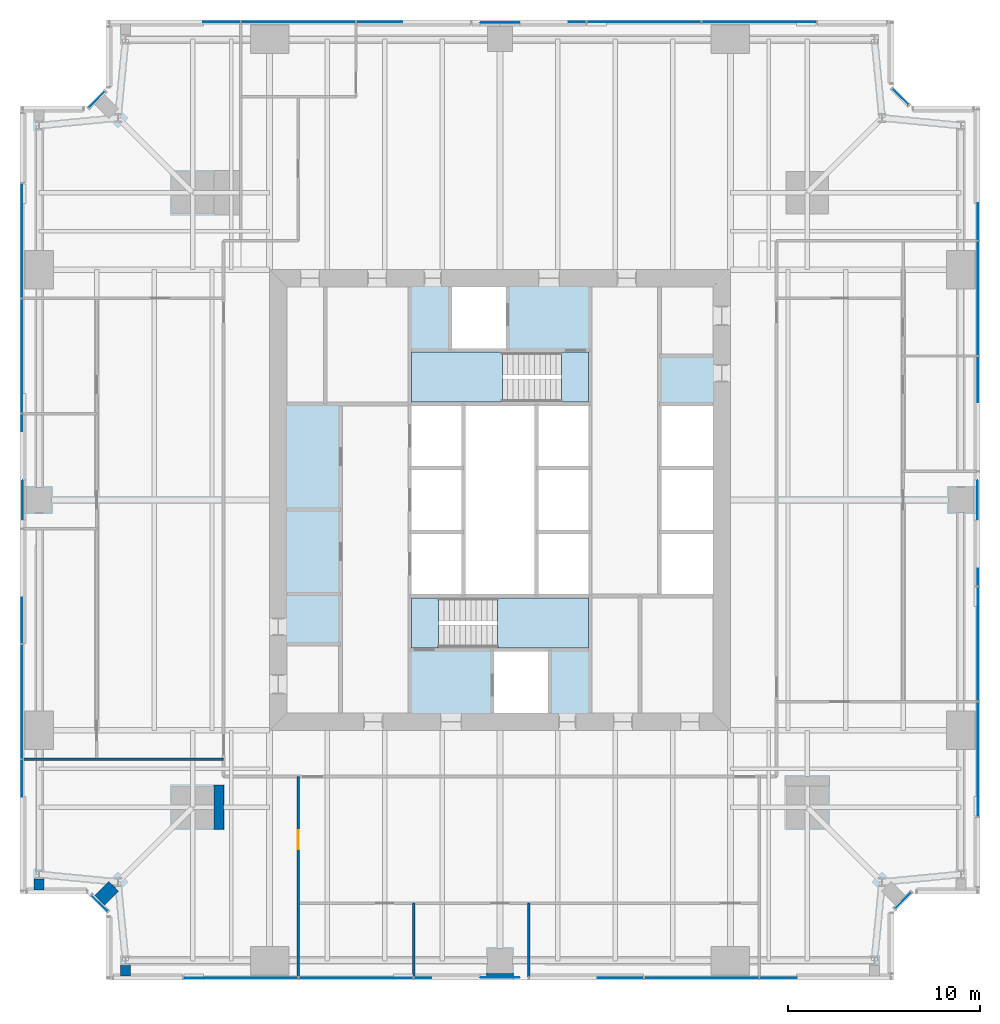
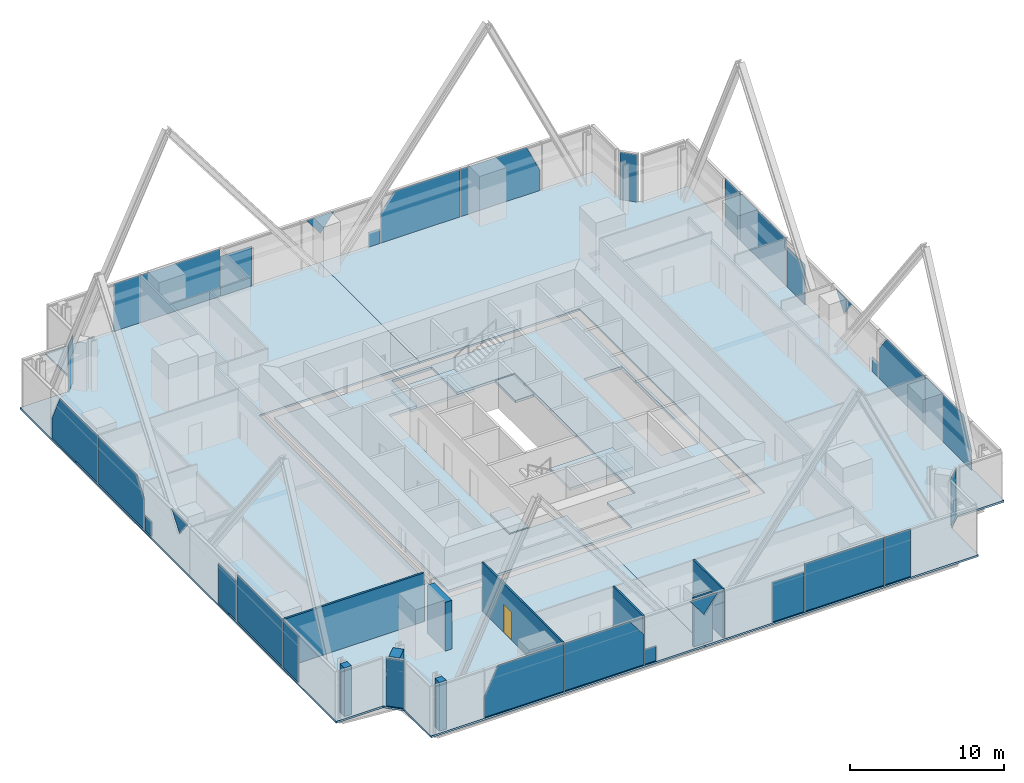
# One storey, part 8 of 13: 32 plates, 9 walls, 7 slabs, 1 door, 1 opening, 10 elements without a shape of their own.
"""IFC4 building model written with IfcOpenShell, lengths in metres."""

from ifc_helpers import new_model, si_unit, direction, frame, frame_2d, origin, origin_2d, place, context, subcontext, project, spatial, polyline, rectangle, outline, extrude, material, layer, layer_set, type_object, element, fill, aggregate, save


model = new_model("IFC4")

# Units and contexts
model_context = context("Model", 3, precision=1e-05, world=origin(), true_north=direction((0.0, 1.0)))
body_context = subcontext(model_context, "Body", "Model", "MODEL_VIEW")
ifc_project = project(units=[si_unit("LENGTHUNIT", "METRE"), si_unit("AREAUNIT", "SQUARE_METRE"), si_unit("VOLUMEUNIT", "CUBIC_METRE"), si_unit("PLANEANGLEUNIT", "RADIAN"), si_unit("MASSUNIT", "GRAM", prefix="KILO")], contexts=[model_context])

# Site, building, storey
site_placement = place(None, origin())
site = spatial("IfcSite", under=ifc_project, at=site_placement, CompositionType="ELEMENT")
building_placement = place(site_placement, origin())
building = spatial("IfcBuilding", under=site, at=building_placement, Name="Fenwick Lantern Interchange", CompositionType="ELEMENT")
storey_placement = place(building_placement, frame((0.0, 0.0, 146.39990234375)))
storey = spatial("IfcBuildingStorey", under=building, at=storey_placement, Name="L34", CompositionType="ELEMENT", Elevation=146.39990234375)

# Slabs
ifc_material_1 = material(Name="Concrete f'c 35 MPa", Category="concrete")
ifc_layer_1 = layer(ifc_material_1, 0.199951171875)
ifc_layer_set_1 = layer_set([ifc_layer_1], Name="CORE FLOOR SLAB 200")
slab_type_1 = type_object("IfcSlabType", Name="CORE FLOOR SLAB 200", PredefinedType="FLOOR", material=ifc_layer_set_1)
slab_1_placement = place(storey_placement, frame((0.0, 0.0, -0.199951171875)))
element("IfcSlab", 1, at=slab_1_placement, inside=storey, type_object=slab_type_1, Name="L34/SLAB/CORE", PredefinedType="FLOOR", context=body_context, shape_type="SweptSolid", body=[
    extrude(outline(polyline([(13.699951171875, 36.300048828125), (36.300048828125, 36.300048828125), (36.300048828125, 13.699951171875), (13.699951171875, 13.699951171875), (13.699951171875, 36.300048828125)]), holes=[polyline([(29.699951171875, 17.199951171875), (29.699951171875, 20.0), (29.699951171875, 23.333251953125), (29.699951171875, 26.666748046875), (29.699951171875, 30.0), (29.699951171875, 32.800048828125), (25.39990234375, 32.800048828125), (25.39990234375, 36.10009765625), (22.39990234375, 36.10009765625), (22.39990234375, 32.800048828125), (20.300048828125, 32.800048828125), (20.300048828125, 30.0), (20.300048828125, 26.666748046875), (20.300048828125, 23.333251953125), (20.300048828125, 20.0), (20.300048828125, 17.199951171875), (24.60009765625, 17.199951171875), (24.60009765625, 13.89990234375), (27.60009765625, 13.89990234375), (27.60009765625, 17.199951171875), (29.699951171875, 17.199951171875)]), polyline([(33.300048828125, 23.333251953125), (33.300048828125, 20.0), (36.10009765625, 20.0), (36.10009765625, 23.333251953125), (36.10009765625, 26.666748046875), (36.10009765625, 30.0), (33.300048828125, 30.0), (33.300048828125, 26.666748046875), (33.300048828125, 23.333251953125)])]), origin(), (0.0, 0.0, 1.0), 0.199951171875),
])
ifc_material_2 = material(Name="Concrete f'c 35 MPa", Category="concrete")
ifc_layer_2 = layer(ifc_material_2, 0.14990234375)
ifc_layer_set_2 = layer_set([ifc_layer_2], Name="Concrete f'c 35 MPa")
slab_type_2 = type_object("IfcSlabType", Name="FLOOR SLAB 150", PredefinedType="FLOOR", material=ifc_layer_set_2)
slab_2_placement = place(storey_placement, frame((0.0, 0.0, -0.14990234375)))
element("IfcSlab", 2, at=slab_2_placement, inside=storey, type_object=slab_type_2, Name="L34/SLAB/FW", PredefinedType="FLOOR", context=body_context, shape_type="SweptSolid", body=[
    extrude(outline(polyline([(4.5, 0.0), (4.5, 3.5), (3.5, 4.5), (0.0, 4.5), (0.0, 45.5), (3.5, 45.5), (4.5, 46.5), (4.5, 50.0), (25.0, 50.0), (25.0, 37.0), (13.0, 37.0), (13.0, 13.0), (25.0, 13.0), (25.0, 0.0), (4.5, 0.0)])), origin(), (0.0, 0.0, 1.0), 0.14990234375),
])
slab_3_placement = place(storey_placement, frame((0.0, 0.0, -0.14990234375)))
element("IfcSlab", 3, at=slab_3_placement, inside=storey, type_object=slab_type_2, Name="L34/SLAB/FE", PredefinedType="FLOOR", context=body_context, shape_type="SweptSolid", body=[
    extrude(outline(polyline([(45.5, 50.0), (45.5, 46.5), (46.5, 45.5), (50.0, 45.5), (50.0, 4.5), (46.5, 4.5), (45.5, 3.5), (45.5, 0.0), (25.0, 0.0), (25.0, 13.0), (37.0, 13.0), (37.0, 37.0), (25.0, 37.0), (25.0, 50.0), (45.5, 50.0)])), origin(), (0.0, 0.0, 1.0), 0.14990234375),
])

# Curtain wall, plates
ifc_material_3 = material(Name="Aluminium curtain wall frame", Category="aluminium")
curtain_wall_type = type_object("IfcCurtainWallType", Name="OFFICE CURTAIN WALL", PredefinedType="USERDEFINED", material=ifc_material_3)
curtain_wall_1_placement = place(storey_placement, origin())
curtain_wall_1 = element("IfcCurtainWall", 4, at=curtain_wall_1_placement, inside=storey, type_object=curtain_wall_type, Name="Office curtain wall 01", ObjectType="OFFICE CURTAIN WALL", PredefinedType="USERDEFINED")
ifc_material_4 = material(Name="Vision glass, clear low-iron double glazed", Category="glass")
ifc_layer_3 = layer(ifc_material_4, 0.031982421875)
ifc_layer_set_3 = layer_set([ifc_layer_3], Name="OFFICE CURTAIN WALL PANEL 32")
plate_type = type_object("IfcPlateType", Name="OFFICE CURTAIN WALL PANEL 32", PredefinedType="CURTAIN_PANEL", material=ifc_layer_set_3)
plate_1_placement = place(storey_placement, frame((4.60009765625, 0.10009765625, 0.0), z_axis=(0.0, 0.0, 1.0), x_axis=(1.0, 0.0, 0.0)))
plate_1 = element("IfcPlate", 5, at=plate_1_placement, type_object=plate_type, Name="L34/CW/01/P01a", PredefinedType="CURTAIN_PANEL", context=body_context, shape_type="SweptSolid", body=[
    extrude(outline(polyline([(3.9326171875, 0.0), (9.867431640625, 0.0), (9.867431640625, 3.75), (4.947265625, 3.75), (3.9326171875, 1.60107421875), (3.9326171875, 0.0)])), frame((0.0, 0.01611328125, 0.0), z_axis=(0.0, -1.0, 0.0), x_axis=(1.0, 0.0, 0.0)), (0.0, 0.0, 1.0), 0.031982421875),
])
plate_2_placement = place(storey_placement, frame((4.60009765625, 0.10009765625, 0.0), z_axis=(0.0, 0.0, 1.0), x_axis=(1.0, 0.0, 0.0)))
plate_2 = element("IfcPlate", 6, at=plate_2_placement, type_object=plate_type, Name="L34/CW/01/P02a", PredefinedType="CURTAIN_PANEL", context=body_context, shape_type="SweptSolid", body=[
    extrude(outline(polyline([(9.9326171875, 0.0), (15.867431640625, 0.0), (15.867431640625, 2.40771484375), (14.853515625, 3.75), (9.9326171875, 3.75), (9.9326171875, 0.0)])), frame((0.0, 0.01611328125, 0.0), z_axis=(0.0, -1.0, 0.0), x_axis=(1.0, 0.0, 0.0)), (0.0, 0.0, 1.0), 0.031982421875),
])
plate_3_placement = place(storey_placement, frame((4.60009765625, 0.10009765625, 0.0), z_axis=(0.0, 0.0, 1.0), x_axis=(1.0, 0.0, 0.0)))
plate_3 = element("IfcPlate", 7, at=plate_3_placement, type_object=plate_type, Name="L34/CW/01/P03a", PredefinedType="CURTAIN_PANEL", context=body_context, shape_type="SweptSolid", body=[
    extrude(outline(polyline([(15.9326171875, 0.0), (16.8076171875, 0.0), (16.8076171875, 1.163330078125), (15.9326171875, 1.163330078125), (15.9326171875, 0.0)])), frame((0.0, 0.01611328125, 0.0), z_axis=(0.0, -1.0, 0.0), x_axis=(1.0, 0.0, 0.0)), (0.0, 0.0, 1.0), 0.031982421875),
])
plate_4_placement = place(storey_placement, frame((4.60009765625, 0.10009765625, 2.38037109375), z_axis=(0.0, 0.0, 1.0), x_axis=(1.0, 0.0, 0.0)))
plate_4 = element("IfcPlate", 8, at=plate_4_placement, type_object=plate_type, Name="L34/CW/01/P03b", PredefinedType="CURTAIN_PANEL", context=body_context, shape_type="SweptSolid", body=[
    extrude(outline(polyline([(20.39990234375, 0.0), (21.434814453125, 1.36962890625), (19.365234375, 1.36962890625), (20.39990234375, 0.0)])), frame((0.0, 0.0498046875, 0.0), z_axis=(0.0, -1.0, 0.0), x_axis=(1.0, 0.0, 0.0)), (0.0, 0.0, 1.0), 0.031982421875),
])
plate_5_placement = place(storey_placement, frame((4.60009765625, 0.10009765625, 0.0), z_axis=(0.0, 0.0, 1.0), x_axis=(1.0, 0.0, 0.0)))
plate_5 = element("IfcPlate", 9, at=plate_5_placement, type_object=plate_type, Name="L34/CW/01/P04a", PredefinedType="CURTAIN_PANEL", context=body_context, shape_type="SweptSolid", body=[
    extrude(outline(polyline([(25.48876953125, 0.0), (27.867431640625, 0.0), (27.867431640625, 3.14404296875), (25.48876953125, 3.14404296875), (25.48876953125, 0.0)])), frame((0.0, 0.01611328125, 0.0), z_axis=(0.0, -1.0, 0.0), x_axis=(1.0, 0.0, 0.0)), (0.0, 0.0, 1.0), 0.031982421875),
])
plate_6_placement = place(storey_placement, frame((35.5, 0.10009765625, 0.0), z_axis=(0.0, 0.0, 1.0), x_axis=(1.0, 0.0, 0.0)))
plate_6 = element("IfcPlate", 10, at=plate_6_placement, type_object=plate_type, Name="L34/CW/01/P05", PredefinedType="CURTAIN_PANEL", context=body_context, shape_type="SweptSolid", body=[
    extrude(rectangle(XDim=5.93505859375, YDim=0.031982421875, at=origin_2d()), origin(), (0.0, 0.0, 1.0), 3.75),
])
plate_7_placement = place(storey_placement, frame((4.60009765625, 0.10009765625, 0.0), z_axis=(0.0, 0.0, 1.0), x_axis=(1.0, 0.0, 0.0)))
plate_7 = element("IfcPlate", 11, at=plate_7_placement, type_object=plate_type, Name="L34/CW/01/P06a", PredefinedType="CURTAIN_PANEL", context=body_context, shape_type="SweptSolid", body=[
    extrude(outline(polyline([(33.9326171875, 0.0), (35.8525390625, 0.0), (35.8525390625, 3.75), (33.9326171875, 3.75), (33.9326171875, 0.0)])), frame((0.0, 0.01611328125, 0.0), z_axis=(0.0, -1.0, 0.0), x_axis=(1.0, 0.0, 0.0)), (0.0, 0.0, 1.0), 0.031982421875),
])
aggregate(curtain_wall_1, [plate_1, plate_2, plate_3, plate_4, plate_5, plate_6, plate_7])

# Curtain wall, plate
curtain_wall_2_placement = place(storey_placement, origin())
curtain_wall_2 = element("IfcCurtainWall", 12, at=curtain_wall_2_placement, inside=storey, type_object=curtain_wall_type, Name="Office curtain wall 03", ObjectType="OFFICE CURTAIN WALL", PredefinedType="USERDEFINED")
plate_8_placement = place(storey_placement, frame((46.0, 4.141357421875, 0.0), z_axis=(0.0, 0.0, 1.0), x_axis=(0.707106781187, 0.707106781187, 0.0)))
plate_8 = element("IfcPlate", 13, at=plate_8_placement, type_object=plate_type, Name="L34/CW/03/P00", PredefinedType="CURTAIN_PANEL", context=body_context, shape_type="SweptSolid", body=[
    extrude(rectangle(XDim=1.1669921875, YDim=0.031982421875, at=origin_2d()), origin(), (0.0, 0.0, 1.0), 3.75),
])
aggregate(curtain_wall_2, [plate_8])

# Curtain wall, plates
curtain_wall_3_placement = place(storey_placement, origin())
curtain_wall_3 = element("IfcCurtainWall", 14, at=curtain_wall_3_placement, inside=storey, type_object=curtain_wall_type, Name="Office curtain wall 05", ObjectType="OFFICE CURTAIN WALL", PredefinedType="USERDEFINED")
plate_9_placement = place(storey_placement, frame((49.89990234375, 4.60009765625, 0.0), z_axis=(0.0, 0.0, 1.0), x_axis=(0.0, 1.0, 0.0)))
plate_9 = element("IfcPlate", 15, at=plate_9_placement, type_object=plate_type, Name="L34/CW/05/P01a", PredefinedType="CURTAIN_PANEL", context=body_context, shape_type="SweptSolid", body=[
    extrude(outline(polyline([(3.9326171875, 0.0), (9.867431640625, 0.0), (9.867431640625, 3.75), (4.947265625, 3.75), (3.9326171875, 1.60107421875), (3.9326171875, 0.0)])), frame((0.0, 0.01611328125, 0.0), z_axis=(0.0, -1.0, 0.0), x_axis=(1.0, 0.0, 0.0)), (0.0, 0.0, 1.0), 0.031982421875),
])
plate_10_placement = place(storey_placement, frame((49.89990234375, 4.60009765625, 0.0), z_axis=(0.0, 0.0, 1.0), x_axis=(0.0, 1.0, 0.0)))
plate_10 = element("IfcPlate", 16, at=plate_10_placement, type_object=plate_type, Name="L34/CW/05/P02a", PredefinedType="CURTAIN_PANEL", context=body_context, shape_type="SweptSolid", body=[
    extrude(outline(polyline([(9.9326171875, 0.0), (15.867431640625, 0.0), (15.867431640625, 2.40771484375), (14.853515625, 3.75), (9.9326171875, 3.75), (9.9326171875, 0.0)])), frame((0.0, 0.01611328125, 0.0), z_axis=(0.0, -1.0, 0.0), x_axis=(1.0, 0.0, 0.0)), (0.0, 0.0, 1.0), 0.031982421875),
])
plate_11_placement = place(storey_placement, frame((49.89990234375, 4.60009765625, 0.0), z_axis=(0.0, 0.0, 1.0), x_axis=(0.0, 1.0, 0.0)))
plate_11 = element("IfcPlate", 17, at=plate_11_placement, type_object=plate_type, Name="L34/CW/05/P03a", PredefinedType="CURTAIN_PANEL", context=body_context, shape_type="SweptSolid", body=[
    extrude(outline(polyline([(15.9326171875, 0.0), (16.8076171875, 0.0), (16.8076171875, 1.163330078125), (15.9326171875, 1.163330078125), (15.9326171875, 0.0)])), frame((0.0, 0.01611328125, 0.0), z_axis=(0.0, -1.0, 0.0), x_axis=(1.0, 0.0, 0.0)), (0.0, 0.0, 1.0), 0.031982421875),
])
plate_12_placement = place(storey_placement, frame((49.89990234375, 4.60009765625, 2.38037109375), z_axis=(0.0, 0.0, 1.0), x_axis=(0.0, 1.0, 0.0)))
plate_12 = element("IfcPlate", 18, at=plate_12_placement, type_object=plate_type, Name="L34/CW/05/P03b", PredefinedType="CURTAIN_PANEL", context=body_context, shape_type="SweptSolid", body=[
    extrude(outline(polyline([(20.39990234375, 0.0), (21.434814453125, 1.36962890625), (19.365234375, 1.36962890625), (20.39990234375, 0.0)])), frame((0.0, 0.0498046875, 0.0), z_axis=(0.0, -1.0, 0.0), x_axis=(1.0, 0.0, 0.0)), (0.0, 0.0, 1.0), 0.031982421875),
])
plate_13_placement = place(storey_placement, frame((49.89990234375, 4.60009765625, 0.0), z_axis=(0.0, 0.0, 1.0), x_axis=(0.0, 1.0, 0.0)))
plate_13 = element("IfcPlate", 19, at=plate_13_placement, type_object=plate_type, Name="L34/CW/05/P04a", PredefinedType="CURTAIN_PANEL", context=body_context, shape_type="SweptSolid", body=[
    extrude(outline(polyline([(25.48876953125, 0.0), (27.867431640625, 0.0), (27.867431640625, 3.14404296875), (25.48876953125, 3.14404296875), (25.48876953125, 0.0)])), frame((0.0, 0.01611328125, 0.0), z_axis=(0.0, -1.0, 0.0), x_axis=(1.0, 0.0, 0.0)), (0.0, 0.0, 1.0), 0.031982421875),
])
plate_14_placement = place(storey_placement, frame((49.89990234375, 35.5, 0.0), z_axis=(0.0, 0.0, 1.0), x_axis=(0.0, 1.0, 0.0)))
plate_14 = element("IfcPlate", 20, at=plate_14_placement, type_object=plate_type, Name="L34/CW/05/P05", PredefinedType="CURTAIN_PANEL", context=body_context, shape_type="SweptSolid", body=[
    extrude(rectangle(XDim=5.93505859375, YDim=0.031982421875, at=origin_2d()), origin(), (0.0, 0.0, 1.0), 3.75),
])
plate_15_placement = place(storey_placement, frame((49.89990234375, 4.60009765625, 0.0), z_axis=(0.0, 0.0, 1.0), x_axis=(0.0, 1.0, 0.0)))
plate_15 = element("IfcPlate", 21, at=plate_15_placement, type_object=plate_type, Name="L34/CW/05/P06a", PredefinedType="CURTAIN_PANEL", context=body_context, shape_type="SweptSolid", body=[
    extrude(outline(polyline([(33.9326171875, 0.0), (35.8525390625, 0.0), (35.8525390625, 3.75), (33.9326171875, 3.75), (33.9326171875, 0.0)])), frame((0.0, 0.01611328125, 0.0), z_axis=(0.0, -1.0, 0.0), x_axis=(1.0, 0.0, 0.0)), (0.0, 0.0, 1.0), 0.031982421875),
])
aggregate(curtain_wall_3, [plate_9, plate_10, plate_11, plate_12, plate_13, plate_14, plate_15])

# Curtain wall, plate
curtain_wall_4_placement = place(storey_placement, origin())
curtain_wall_4 = element("IfcCurtainWall", 22, at=curtain_wall_4_placement, inside=storey, type_object=curtain_wall_type, Name="Office curtain wall 07", ObjectType="OFFICE CURTAIN WALL", PredefinedType="USERDEFINED")
plate_16_placement = place(storey_placement, frame((45.858642578125, 46.0, 0.0), z_axis=(0.0, 0.0, 1.0), x_axis=(-0.707106781187, 0.707106781187, 0.0)))
plate_16 = element("IfcPlate", 23, at=plate_16_placement, type_object=plate_type, Name="L34/CW/07/P00", PredefinedType="CURTAIN_PANEL", context=body_context, shape_type="SweptSolid", body=[
    extrude(rectangle(XDim=1.1669921875, YDim=0.031982421875, at=origin_2d()), origin(), (0.0, 0.0, 1.0), 3.75),
])
aggregate(curtain_wall_4, [plate_16])

# Curtain wall, plates
curtain_wall_5_placement = place(storey_placement, origin())
curtain_wall_5 = element("IfcCurtainWall", 24, at=curtain_wall_5_placement, inside=storey, type_object=curtain_wall_type, Name="Office curtain wall 09", ObjectType="OFFICE CURTAIN WALL", PredefinedType="USERDEFINED")
plate_17_placement = place(storey_placement, frame((45.39990234375, 49.89990234375, 0.0), z_axis=(0.0, 0.0, 1.0), x_axis=(-1.0, 0.0, 0.0)))
plate_17 = element("IfcPlate", 25, at=plate_17_placement, type_object=plate_type, Name="L34/CW/09/P01a", PredefinedType="CURTAIN_PANEL", context=body_context, shape_type="SweptSolid", body=[
    extrude(outline(polyline([(3.9326171875, 0.0), (9.867431640625, 0.0), (9.867431640625, 3.75), (4.947265625, 3.75), (3.9326171875, 1.60107421875), (3.9326171875, 0.0)])), frame((0.0, 0.01611328125, 0.0), z_axis=(0.0, -1.0, 0.0), x_axis=(1.0, 0.0, 0.0)), (0.0, 0.0, 1.0), 0.031982421875),
])
plate_18_placement = place(storey_placement, frame((45.39990234375, 49.89990234375, 0.0), z_axis=(0.0, 0.0, 1.0), x_axis=(-1.0, 0.0, 0.0)))
plate_18 = element("IfcPlate", 26, at=plate_18_placement, type_object=plate_type, Name="L34/CW/09/P02a", PredefinedType="CURTAIN_PANEL", context=body_context, shape_type="SweptSolid", body=[
    extrude(outline(polyline([(9.9326171875, 0.0), (15.867431640625, 0.0), (15.867431640625, 2.40771484375), (14.853515625, 3.75), (9.9326171875, 3.75), (9.9326171875, 0.0)])), frame((0.0, 0.01611328125, 0.0), z_axis=(0.0, -1.0, 0.0), x_axis=(1.0, 0.0, 0.0)), (0.0, 0.0, 1.0), 0.031982421875),
])
plate_19_placement = place(storey_placement, frame((45.39990234375, 49.89990234375, 0.0), z_axis=(0.0, 0.0, 1.0), x_axis=(-1.0, 0.0, 0.0)))
plate_19 = element("IfcPlate", 27, at=plate_19_placement, type_object=plate_type, Name="L34/CW/09/P03a", PredefinedType="CURTAIN_PANEL", context=body_context, shape_type="SweptSolid", body=[
    extrude(outline(polyline([(15.9326171875, 0.0), (16.8076171875, 0.0), (16.8076171875, 1.163330078125), (15.9326171875, 1.163330078125), (15.9326171875, 0.0)])), frame((0.0, 0.01611328125, 0.0), z_axis=(0.0, -1.0, 0.0), x_axis=(1.0, 0.0, 0.0)), (0.0, 0.0, 1.0), 0.031982421875),
])
plate_20_placement = place(storey_placement, frame((45.39990234375, 49.89990234375, 2.38037109375), z_axis=(0.0, 0.0, 1.0), x_axis=(-1.0, 0.0, 0.0)))
plate_20 = element("IfcPlate", 28, at=plate_20_placement, type_object=plate_type, Name="L34/CW/09/P03b", PredefinedType="CURTAIN_PANEL", context=body_context, shape_type="SweptSolid", body=[
    extrude(outline(polyline([(20.39990234375, 0.0), (21.434814453125, 1.36962890625), (19.365234375, 1.36962890625), (20.39990234375, 0.0)])), frame((0.0, 0.0498046875, 0.0), z_axis=(0.0, -1.0, 0.0), x_axis=(1.0, 0.0, 0.0)), (0.0, 0.0, 1.0), 0.031982421875),
])
plate_21_placement = place(storey_placement, frame((45.39990234375, 49.89990234375, 0.0), z_axis=(0.0, 0.0, 1.0), x_axis=(-1.0, 0.0, 0.0)))
plate_21 = element("IfcPlate", 29, at=plate_21_placement, type_object=plate_type, Name="L34/CW/09/P04a", PredefinedType="CURTAIN_PANEL", context=body_context, shape_type="SweptSolid", body=[
    extrude(outline(polyline([(25.48876953125, 0.0), (27.867431640625, 0.0), (27.867431640625, 3.14404296875), (25.48876953125, 3.14404296875), (25.48876953125, 0.0)])), frame((0.0, 0.01611328125, 0.0), z_axis=(0.0, -1.0, 0.0), x_axis=(1.0, 0.0, 0.0)), (0.0, 0.0, 1.0), 0.031982421875),
])
plate_22_placement = place(storey_placement, frame((14.5, 49.89990234375, 0.0), z_axis=(0.0, 0.0, 1.0), x_axis=(-1.0, 0.0, 0.0)))
plate_22 = element("IfcPlate", 30, at=plate_22_placement, type_object=plate_type, Name="L34/CW/09/P05", PredefinedType="CURTAIN_PANEL", context=body_context, shape_type="SweptSolid", body=[
    extrude(rectangle(XDim=5.93505859375, YDim=0.031982421875, at=origin_2d()), origin(), (0.0, 0.0, 1.0), 3.75),
])
plate_23_placement = place(storey_placement, frame((45.39990234375, 49.89990234375, 0.0), z_axis=(0.0, 0.0, 1.0), x_axis=(-1.0, 0.0, 0.0)))
plate_23 = element("IfcPlate", 31, at=plate_23_placement, type_object=plate_type, Name="L34/CW/09/P06a", PredefinedType="CURTAIN_PANEL", context=body_context, shape_type="SweptSolid", body=[
    extrude(outline(polyline([(33.9326171875, 0.0), (35.8525390625, 0.0), (35.8525390625, 3.75), (33.9326171875, 3.75), (33.9326171875, 0.0)])), frame((0.0, 0.01611328125, 0.0), z_axis=(0.0, -1.0, 0.0), x_axis=(1.0, 0.0, 0.0)), (0.0, 0.0, 1.0), 0.031982421875),
])
aggregate(curtain_wall_5, [plate_17, plate_18, plate_19, plate_20, plate_21, plate_22, plate_23])

# Curtain wall, plate
curtain_wall_6_placement = place(storey_placement, origin())
curtain_wall_6 = element("IfcCurtainWall", 32, at=curtain_wall_6_placement, inside=storey, type_object=curtain_wall_type, Name="Office curtain wall 11", ObjectType="OFFICE CURTAIN WALL", PredefinedType="USERDEFINED")
plate_24_placement = place(storey_placement, frame((4.0, 45.858642578125, 0.0), z_axis=(0.0, 0.0, 1.0), x_axis=(-0.707106781187, -0.707106781187, 0.0)))
plate_24 = element("IfcPlate", 33, at=plate_24_placement, type_object=plate_type, Name="L34/CW/11/P00", PredefinedType="CURTAIN_PANEL", context=body_context, shape_type="SweptSolid", body=[
    extrude(rectangle(XDim=1.1669921875, YDim=0.031982421875, at=origin_2d()), origin(), (0.0, 0.0, 1.0), 3.75),
])
aggregate(curtain_wall_6, [plate_24])

# Curtain wall, plates
curtain_wall_7_placement = place(storey_placement, origin())
curtain_wall_7 = element("IfcCurtainWall", 34, at=curtain_wall_7_placement, inside=storey, type_object=curtain_wall_type, Name="Office curtain wall 13", ObjectType="OFFICE CURTAIN WALL", PredefinedType="USERDEFINED")
plate_25_placement = place(storey_placement, frame((0.10009765625, 45.39990234375, 0.0), z_axis=(0.0, 0.0, 1.0), x_axis=(0.0, -1.0, 0.0)))
plate_25 = element("IfcPlate", 35, at=plate_25_placement, type_object=plate_type, Name="L34/CW/13/P01a", PredefinedType="CURTAIN_PANEL", context=body_context, shape_type="SweptSolid", body=[
    extrude(outline(polyline([(3.9326171875, 0.0), (9.867431640625, 0.0), (9.867431640625, 3.75), (4.947265625, 3.75), (3.9326171875, 1.60107421875), (3.9326171875, 0.0)])), frame((0.0, 0.01611328125, 0.0), z_axis=(0.0, -1.0, 0.0), x_axis=(1.0, 0.0, 0.0)), (0.0, 0.0, 1.0), 0.031982421875),
])
plate_26_placement = place(storey_placement, frame((0.10009765625, 45.39990234375, 0.0), z_axis=(0.0, 0.0, 1.0), x_axis=(0.0, -1.0, 0.0)))
plate_26 = element("IfcPlate", 36, at=plate_26_placement, type_object=plate_type, Name="L34/CW/13/P02a", PredefinedType="CURTAIN_PANEL", context=body_context, shape_type="SweptSolid", body=[
    extrude(outline(polyline([(9.9326171875, 0.0), (15.867431640625, 0.0), (15.867431640625, 2.40771484375), (14.853515625, 3.75), (9.9326171875, 3.75), (9.9326171875, 0.0)])), frame((0.0, 0.01611328125, 0.0), z_axis=(0.0, -1.0, 0.0), x_axis=(1.0, 0.0, 0.0)), (0.0, 0.0, 1.0), 0.031982421875),
])
plate_27_placement = place(storey_placement, frame((0.10009765625, 45.39990234375, 0.0), z_axis=(0.0, 0.0, 1.0), x_axis=(0.0, -1.0, 0.0)))
plate_27 = element("IfcPlate", 37, at=plate_27_placement, type_object=plate_type, Name="L34/CW/13/P03a", PredefinedType="CURTAIN_PANEL", context=body_context, shape_type="SweptSolid", body=[
    extrude(outline(polyline([(15.9326171875, 0.0), (16.8076171875, 0.0), (16.8076171875, 1.163330078125), (15.9326171875, 1.163330078125), (15.9326171875, 0.0)])), frame((0.0, 0.01611328125, 0.0), z_axis=(0.0, -1.0, 0.0), x_axis=(1.0, 0.0, 0.0)), (0.0, 0.0, 1.0), 0.031982421875),
])
plate_28_placement = place(storey_placement, frame((0.10009765625, 45.39990234375, 2.38037109375), z_axis=(0.0, 0.0, 1.0), x_axis=(0.0, -1.0, 0.0)))
plate_28 = element("IfcPlate", 38, at=plate_28_placement, type_object=plate_type, Name="L34/CW/13/P03b", PredefinedType="CURTAIN_PANEL", context=body_context, shape_type="SweptSolid", body=[
    extrude(outline(polyline([(20.39990234375, 0.0), (21.434814453125, 1.36962890625), (19.365234375, 1.36962890625), (20.39990234375, 0.0)])), frame((0.0, 0.0498046875, 0.0), z_axis=(0.0, -1.0, 0.0), x_axis=(1.0, 0.0, 0.0)), (0.0, 0.0, 1.0), 0.031982421875),
])
plate_29_placement = place(storey_placement, frame((0.10009765625, 45.39990234375, 0.0), z_axis=(0.0, 0.0, 1.0), x_axis=(0.0, -1.0, 0.0)))
plate_29 = element("IfcPlate", 39, at=plate_29_placement, type_object=plate_type, Name="L34/CW/13/P04a", PredefinedType="CURTAIN_PANEL", context=body_context, shape_type="SweptSolid", body=[
    extrude(outline(polyline([(25.48876953125, 0.0), (27.867431640625, 0.0), (27.867431640625, 3.14404296875), (25.48876953125, 3.14404296875), (25.48876953125, 0.0)])), frame((0.0, 0.01611328125, 0.0), z_axis=(0.0, -1.0, 0.0), x_axis=(1.0, 0.0, 0.0)), (0.0, 0.0, 1.0), 0.031982421875),
])
plate_30_placement = place(storey_placement, frame((0.10009765625, 14.5, 0.0), z_axis=(0.0, 0.0, 1.0), x_axis=(0.0, -1.0, 0.0)))
plate_30 = element("IfcPlate", 40, at=plate_30_placement, type_object=plate_type, Name="L34/CW/13/P05", PredefinedType="CURTAIN_PANEL", context=body_context, shape_type="SweptSolid", body=[
    extrude(rectangle(XDim=5.93505859375, YDim=0.031982421875, at=origin_2d()), origin(), (0.0, 0.0, 1.0), 3.75),
])
plate_31_placement = place(storey_placement, frame((0.10009765625, 45.39990234375, 0.0), z_axis=(0.0, 0.0, 1.0), x_axis=(0.0, -1.0, 0.0)))
plate_31 = element("IfcPlate", 41, at=plate_31_placement, type_object=plate_type, Name="L34/CW/13/P06a", PredefinedType="CURTAIN_PANEL", context=body_context, shape_type="SweptSolid", body=[
    extrude(outline(polyline([(33.9326171875, 0.0), (35.8525390625, 0.0), (35.8525390625, 3.75), (33.9326171875, 3.75), (33.9326171875, 0.0)])), frame((0.0, 0.01611328125, 0.0), z_axis=(0.0, -1.0, 0.0), x_axis=(1.0, 0.0, 0.0)), (0.0, 0.0, 1.0), 0.031982421875),
])
aggregate(curtain_wall_7, [plate_25, plate_26, plate_27, plate_28, plate_29, plate_30, plate_31])

# Curtain wall, plate
curtain_wall_8_placement = place(storey_placement, origin())
curtain_wall_8 = element("IfcCurtainWall", 42, at=curtain_wall_8_placement, inside=storey, type_object=curtain_wall_type, Name="Office curtain wall 15", ObjectType="OFFICE CURTAIN WALL", PredefinedType="USERDEFINED")
plate_32_placement = place(storey_placement, frame((4.141357421875, 4.0, 0.0), z_axis=(0.0, 0.0, 1.0), x_axis=(0.707106781187, -0.707106781187, 0.0)))
plate_32 = element("IfcPlate", 43, at=plate_32_placement, type_object=plate_type, Name="L34/CW/15/P00", PredefinedType="CURTAIN_PANEL", context=body_context, shape_type="SweptSolid", body=[
    extrude(rectangle(XDim=1.1669921875, YDim=0.031982421875, at=origin_2d()), origin(), (0.0, 0.0, 1.0), 3.75),
])
aggregate(curtain_wall_8, [plate_32])

# Stair, slabs
ifc_material_5 = material(Name="Precast concrete f'c 35 MPa", Category="concrete")
stair_type = type_object("IfcStairType", Name="EXIT STAIR 1200", PredefinedType="HALF_TURN_STAIR", material=ifc_material_5)
stair_1_placement = place(storey_placement, origin())
stair_1 = element("IfcStair", 44, at=stair_1_placement, inside=storey, type_object=stair_type, Name="Exit stair ST1", PredefinedType="HALF_TURN_STAIR")
ifc_layer_4 = layer(ifc_material_1, 0.199951171875)
ifc_layer_set_4 = layer_set([ifc_layer_4], Name="STAIR LANDING 200")
slab_type_3 = type_object("IfcSlabType", Name="STAIR LANDING 200", PredefinedType="LANDING", material=ifc_layer_set_4)
slab_4_placement = place(storey_placement, frame((0.0, 0.0, 1.800048828125)))
slab_4 = element("IfcSlab", 45, at=slab_4_placement, type_object=slab_type_3, Name="ST1 landing 1", PredefinedType="LANDING", context=body_context, shape_type="SweptSolid", body=[
    extrude(outline(polyline([(24.8798828125, 17.300048828125), (29.60009765625, 17.300048828125), (29.60009765625, 19.89990234375), (24.8798828125, 19.89990234375), (24.8798828125, 17.300048828125)])), origin(), (0.0, 0.0, 1.0), 0.199951171875),
])
slab_5_placement = place(storey_placement, frame((0.0, 0.0, -0.199951171875)))
slab_5 = element("IfcSlab", 46, at=slab_5_placement, type_object=slab_type_3, Name="ST1 landing 2", PredefinedType="LANDING", context=body_context, shape_type="SweptSolid", body=[
    extrude(outline(polyline([(20.39990234375, 17.300048828125), (21.800048828125, 17.300048828125), (21.800048828125, 19.89990234375), (20.39990234375, 19.89990234375), (20.39990234375, 17.300048828125)])), origin(), (0.0, 0.0, 1.0), 0.199951171875),
])
aggregate(stair_1, [slab_4, slab_5])

stair_2_placement = place(storey_placement, origin())
stair_2 = element("IfcStair", 47, at=stair_2_placement, inside=storey, type_object=stair_type, Name="Exit stair ST2", PredefinedType="HALF_TURN_STAIR")
slab_6_placement = place(storey_placement, frame((0.0, 0.0, 1.800048828125)))
slab_6 = element("IfcSlab", 48, at=slab_6_placement, type_object=slab_type_3, Name="ST2 landing 1", PredefinedType="LANDING", context=body_context, shape_type="SweptSolid", body=[
    extrude(outline(polyline([(25.1201171875, 32.699951171875), (20.39990234375, 32.699951171875), (20.39990234375, 30.10009765625), (25.1201171875, 30.10009765625), (25.1201171875, 32.699951171875)])), origin(), (0.0, 0.0, 1.0), 0.199951171875),
])
slab_7_placement = place(storey_placement, frame((0.0, 0.0, -0.199951171875)))
slab_7 = element("IfcSlab", 49, at=slab_7_placement, type_object=slab_type_3, Name="ST2 landing 2", PredefinedType="LANDING", context=body_context, shape_type="SweptSolid", body=[
    extrude(outline(polyline([(29.60009765625, 32.699951171875), (28.199951171875, 32.699951171875), (28.199951171875, 30.10009765625), (29.60009765625, 30.10009765625), (29.60009765625, 32.699951171875)])), origin(), (0.0, 0.0, 1.0), 0.199951171875),
])
aggregate(stair_2, [slab_6, slab_7])

# Walls
ifc_material_6 = material(Name="Fire-rated gypsum board encasement on steel studs, 2 hour", Category="steel")
ifc_layer_5 = layer(ifc_material_6, 1.39990234375)
ifc_layer_set_5 = layer_set([ifc_layer_5], Name="COLUMN PIER 1400")
wall_type_1 = type_object("IfcWallType", Name="COLUMN PIER 1400", PredefinedType="PARTITIONING", material=ifc_layer_set_5)
wall_1_placement = place(storey_placement, frame((25.0, 0.199951171875, 0.0), z_axis=(0.0, 0.0, 1.0), x_axis=(0.0, 1.0, 0.0)))
element("IfcWall", 50, at=wall_1_placement, inside=storey, type_object=wall_type_1, Name="L34/W/PIER/CS3", PredefinedType="PARTITIONING", context=body_context, shape_type="SweptSolid", body=[
    extrude(rectangle(XDim=0.150146484375, YDim=1.39990234375, at=frame_2d((0.0751953125, 0.0))), origin(), (0.0, 0.0, 1.0), 3.85009765625),
])
ifc_layer_6 = layer(ifc_material_6, 2.300048828125)
ifc_layer_set_6 = layer_set([ifc_layer_6], Name="COLUMN PIER 2300")
wall_type_2 = type_object("IfcWallType", Name="COLUMN PIER 2300", PredefinedType="PARTITIONING", material=ifc_layer_set_6)
wall_2_placement = place(storey_placement, frame((10.60009765625, 9.0, 0.0), z_axis=(0.0, 0.0, 1.0), x_axis=(-1.0, 0.0, 0.0)))
element("IfcWall", 51, at=wall_2_placement, inside=storey, type_object=wall_type_2, Name="L34/W/PIER/M1", PredefinedType="PARTITIONING", context=body_context, shape_type="SweptSolid", body=[
    extrude(rectangle(XDim=0.5, YDim=2.300048828125, at=frame_2d((0.25, 0.0))), origin(), (0.0, 0.0, 1.0), 3.85009765625),
])
ifc_layer_7 = layer(ifc_material_6, 0.52392578125)
ifc_layer_set_7 = layer_set([ifc_layer_7], Name="COLUMN PIER 524")
wall_type_3 = type_object("IfcWallType", Name="COLUMN PIER 524", PredefinedType="PARTITIONING", material=ifc_layer_set_7)
for number, where, z_axis, x_axis, name in (
    (52, (5.5, 0.199951171875, 0.0), (0.0, 0.0, 1.0), (0.0, 1.0, 0.0), "L34/W/PIER/CS1"),
    (53, (1.0, 4.699951171875, 0.0), (0.0, 0.0, 1.0), (0.0, 1.0, 0.0), "L34/W/PIER/CW5"),
):
    element("IfcWall", number, at=place(storey_placement, frame(where, z_axis=z_axis, x_axis=x_axis)), inside=storey, type_object=wall_type_3, Name=name, PredefinedType="PARTITIONING", context=body_context, shape_type="SweptSolid", body=[
        extrude(rectangle(XDim=0.5625, YDim=0.52392578125, at=frame_2d((0.28125, 0.0))), origin(), (0.0, 0.0, 1.0), 3.85009765625),
    ])
ifc_layer_8 = layer(ifc_material_6, 0.736083984375)
ifc_layer_set_8 = layer_set([ifc_layer_8], Name="COLUMN PIER 736")
wall_type_4 = type_object("IfcWallType", Name="COLUMN PIER 736", PredefinedType="PARTITIONING", material=ifc_layer_set_8)
wall_3_placement = place(storey_placement, frame((4.141357421875, 4.141357421875, 0.0), z_axis=(0.0, 0.0, 1.0), x_axis=(0.707106781187, 0.707106781187, 0.0)))
element("IfcWall", 54, at=wall_3_placement, inside=storey, type_object=wall_type_4, Name="L34/W/PIER/CWR", PredefinedType="PARTITIONING", context=body_context, shape_type="SweptSolid", body=[
    extrude(rectangle(XDim=1.037841796875, YDim=0.736083984375, at=frame_2d((0.51904296875, 0.0))), origin(), (0.0, 0.0, 1.0), 3.85009765625),
])

# Wall, opening, door
ifc_material_7 = material(Name="Gypsum board on steel studs, acoustic", Category="steel")
ifc_layer_9 = layer(ifc_material_7, 0.125)
ifc_layer_set_9 = layer_set([ifc_layer_9], Name="OFFICE PARTITION 125")
wall_type_5 = type_object("IfcWallType", Name="OFFICE PARTITION 125", PredefinedType="PARTITIONING", material=ifc_layer_set_9)
wall_4_placement = place(storey_placement, frame((14.5, 0.14990234375, 0.0), z_axis=(0.0, 0.0, 1.0), x_axis=(0.0, 1.0, 0.0)))
wall_4 = element("IfcWall", 55, at=wall_4_placement, inside=storey, type_object=wall_type_5, Name="L34/W/OFF/S/X145-1", PredefinedType="PARTITIONING", context=body_context, shape_type="SweptSolid", body=[
    extrude(rectangle(XDim=10.4501953125, YDim=0.125, at=frame_2d((5.22509765625, 0.0))), origin(), (0.0, 0.0, 1.0), 3.85009765625),
])
opening_placement = place(wall_4_placement, frame((6.64990234375, 0.0, 0.0)))
opening = element("IfcOpeningElement", 56, at=opening_placement, cuts=wall_4, Name="Opening L34-D021", PredefinedType="OPENING", context=body_context, shape_type="SweptSolid", body=[
    extrude(rectangle(XDim=1.0, YDim=2.199951171875, at=frame_2d((0.5, 1.10009765625))), frame((0.0, 0.072509765625, 0.0), z_axis=(0.0, -1.0, 0.0), x_axis=(1.0, 0.0, 0.0)), (0.0, 0.0, 1.0), 0.14501953125),
])
ifc_material_8 = material(Name="Hardwood door and steel frame", Category="steel")
door_type = type_object("IfcDoorType", Name="MEETING ROOM DOOR 1000 X 2200", OperationType="SINGLE_SWING_LEFT", PredefinedType="DOOR", material=ifc_material_8)
door_placement = place(opening_placement, origin())
door = element("IfcDoor", 57, at=door_placement, inside=storey, type_object=door_type, Name="Meeting room door", OperationType="SINGLE_SWING_RIGHT", OverallHeight=2.199951171875, OverallWidth=1.0, PredefinedType="DOOR", context=body_context, shape_type="SweptSolid", body=[
    extrude(rectangle(XDim=1.0, YDim=2.199951171875, at=frame_2d((0.5, 1.10009765625))), frame((0.0, 0.02490234375, 0.0), z_axis=(0.0, -1.0, 0.0), x_axis=(1.0, 0.0, 0.0)), (0.0, 0.0, 1.0), 0.050048828125),
])
fill(opening, door)

# Walls
for number, where, z_axis, x_axis, name in (
    (58, (20.5, 0.14990234375, 0.0), (0.0, 0.0, 1.0), (0.0, 1.0, 0.0), "L34/W/OFF/S/X205-1"),
    (59, (26.5, 0.14990234375, 0.0), (0.0, 0.0, 1.0), (0.0, 1.0, 0.0), "L34/W/OFF/S/X265-1"),
):
    element("IfcWall", number, at=place(storey_placement, frame(where, z_axis=z_axis, x_axis=x_axis)), inside=storey, type_object=wall_type_5, Name=name, PredefinedType="PARTITIONING", context=body_context, shape_type="SweptSolid", body=[
        extrude(rectangle(XDim=3.85009765625, YDim=0.125, at=frame_2d((1.925048828125, 0.0))), origin(), (0.0, 0.0, 1.0), 3.85009765625),
    ])
ifc_material_9 = material(Name="Gypsum board on steel studs, 1 hour acoustic", Category="steel")
ifc_layer_10 = layer(ifc_material_9, 0.14990234375)
ifc_layer_set_10 = layer_set([ifc_layer_10], Name="TENANT WALL 150")
wall_type_6 = type_object("IfcWallType", Name="TENANT WALL 150", PredefinedType="PARTITIONING", material=ifc_layer_set_10)
wall_5_placement = place(storey_placement, frame((0.14990234375, 11.5, 0.0), z_axis=(0.0, 0.0, 1.0), x_axis=(1.0, 0.0, 0.0)))
element("IfcWall", 60, at=wall_5_placement, inside=storey, type_object=wall_type_6, Name="L34/W/OFF/S/BACK", PredefinedType="PARTITIONING", context=body_context, shape_type="SweptSolid", body=[
    extrude(rectangle(XDim=10.4501953125, YDim=0.14990234375, at=frame_2d((5.22509765625, 0.0))), origin(), (0.0, 0.0, 1.0), 3.85009765625),
])

save(model, "model.ifc")
